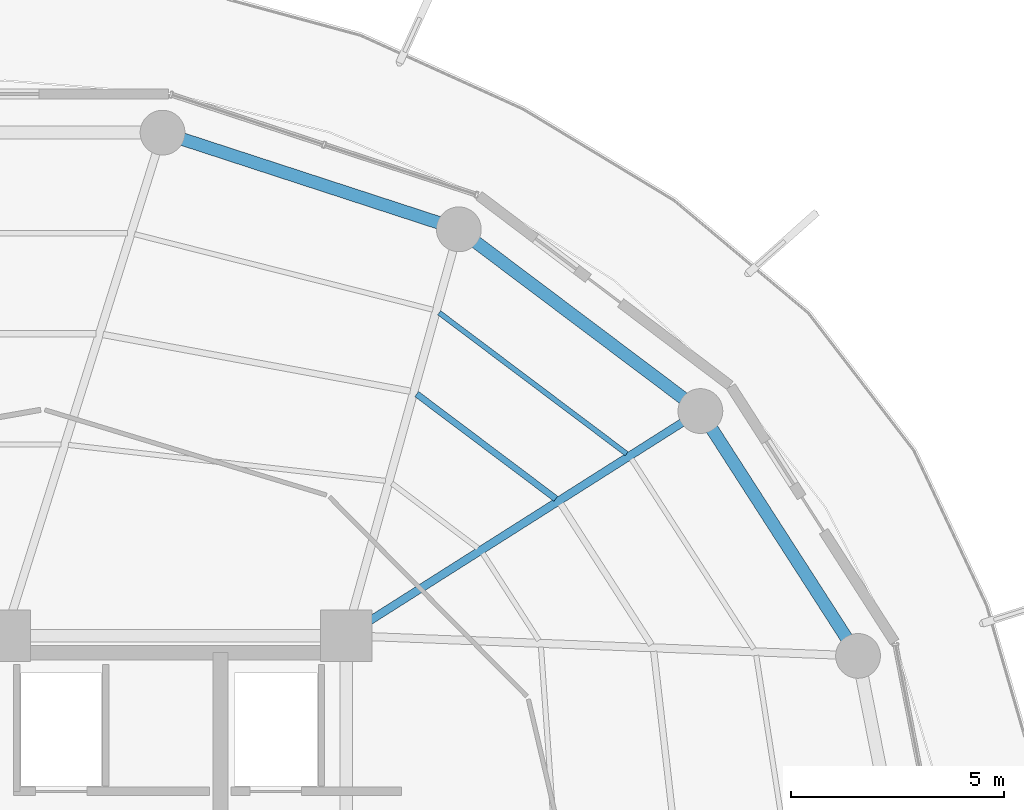
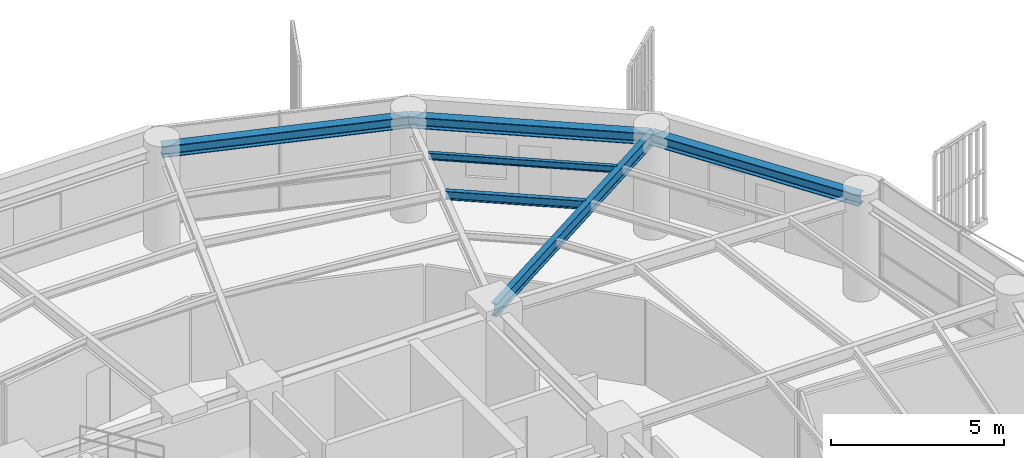
# One storey, part 22 of 31: 6 beams.
"""IFC4 building model written with IfcOpenShell, lengths in metres."""

from ifc_helpers import new_model, si_unit, direction, frame, origin, origin_2d, place, context, subcontext, project, spatial, i_section, extrude, material, material_profile, profile_set, type_object, element, save


model = new_model("IFC4")

# Units and contexts
model_context = context("Model", 3, precision=1e-05, world=origin(), true_north=direction((0.0, 1.0)))
body_context = subcontext(model_context, "Body", "Model", "MODEL_VIEW")
ifc_project = project(units=[si_unit("LENGTHUNIT", "METRE"), si_unit("AREAUNIT", "SQUARE_METRE"), si_unit("VOLUMEUNIT", "CUBIC_METRE"), si_unit("PLANEANGLEUNIT", "RADIAN"), si_unit("MASSUNIT", "GRAM", prefix="KILO")], contexts=[model_context])

# Site, building, storey
site_placement = place(None, origin())
site = spatial("IfcSite", under=ifc_project, at=site_placement, CompositionType="ELEMENT")
building_placement = place(site_placement, origin())
building = spatial("IfcBuilding", under=site, at=building_placement, Name="Kelanora Arch Commons", CompositionType="ELEMENT")
storey_placement = place(building_placement, frame((0.0, 0.0, 193.199951171875)))
storey = spatial("IfcBuildingStorey", under=building, at=storey_placement, Name="L49", CompositionType="ELEMENT", Elevation=193.199951171875)

# Beams
ifc_material = material(Name="Steel S355", Category="steel")
ifc_material_profile_1 = material_profile(ifc_material, i_section(OverallWidth=0.14990234375, OverallDepth=0.300048828125, WebThickness=0.007080078125, FlangeThickness=0.0107421875, FilletRadius=0.014892578125, at=origin_2d()), Name="IPE300")
ifc_profile_set_1 = profile_set([ifc_material_profile_1], Name="Steel S355")
beam_type_1 = type_object("IfcBeamType", Name="BM-JST-01", PredefinedType="JOIST", material=ifc_profile_set_1)
beam_1_placement = place(storey_placement, frame((86.912841796875, 68.209716796875, 3.340087890625), z_axis=(-0.799101708656, 0.601195857624, 0.0), x_axis=(-0.601195857624, -0.799101708656, 0.0)))
element("IfcBeam", 1, at=beam_1_placement, inside=storey, type_object=beam_type_1, Name="Secondary Chord Joist BJB-04 L49", PredefinedType="JOIST", context=body_context, shape_type="SweptSolid", body=[
    extrude(i_section(OverallWidth=0.14990234375, OverallDepth=0.300048828125, WebThickness=0.007080078125, FlangeThickness=0.0107421875, FilletRadius=0.014892578125, at=origin_2d()), origin(), (0.0, 0.0, 1.0), 4.080810546875),
])
ifc_material_profile_2 = material_profile(ifc_material, i_section(OverallWidth=0.1201171875, OverallDepth=0.239990234375, WebThickness=0.006103515625, FlangeThickness=0.009765625, FilletRadius=0.014892578125, at=origin_2d()), Name="IPE240")
ifc_profile_set_2 = profile_set([ifc_material_profile_2], Name="Steel S355")
beam_type_2 = type_object("IfcBeamType", Name="BM-JST-02", PredefinedType="JOIST", material=ifc_profile_set_2)
beam_2_placement = place(storey_placement, frame((88.5732421875, 69.2626953125, 3.3701171875), z_axis=(-0.799109197935, 0.601185902842, 0.0), x_axis=(-0.601185902842, -0.799109197935, 0.0)))
element("IfcBeam", 2, at=beam_2_placement, inside=storey, type_object=beam_type_2, Name="Secondary Chord Joist BJC-04 L49", PredefinedType="JOIST", context=body_context, shape_type="SweptSolid", body=[
    extrude(i_section(OverallWidth=0.1201171875, OverallDepth=0.239990234375, WebThickness=0.006103515625, FlangeThickness=0.009765625, FilletRadius=0.014892578125, at=origin_2d()), origin(), (0.0, 0.0, 1.0), 5.497802734375),
])
ifc_material_profile_3 = material_profile(ifc_material, i_section(OverallWidth=0.18994140625, OverallDepth=0.449951171875, WebThickness=0.009521484375, FlangeThickness=0.0146484375, FilletRadius=0.02099609375, at=origin_2d()), Name="IPE450")
ifc_profile_set_3 = profile_set([ifc_material_profile_3], Name="Steel S355")
beam_type_3 = type_object("IfcBeamType", Name="BM-RAD-Z4", PredefinedType="BEAM", material=ifc_profile_set_3)
beam_3_placement = place(storey_placement, frame((82.0, 65.0, 3.26513671875), z_axis=(0.844507208607, 0.535544185489, 0.0), x_axis=(-0.535544185489, 0.844507208607, 0.0)))
element("IfcBeam", 3, at=beam_3_placement, inside=storey, type_object=beam_type_3, Name="Radial Floor Girder BR-04 L49", PredefinedType="BEAM", context=body_context, shape_type="SweptSolid", body=[
    extrude(i_section(OverallWidth=0.18994140625, OverallDepth=0.449951171875, WebThickness=0.009521484375, FlangeThickness=0.0146484375, FilletRadius=0.02099609375, at=origin_2d()), origin(), (0.0, 0.0, 1.0), 9.830078125),
])
ifc_material_profile_4 = material_profile(ifc_material, i_section(OverallWidth=0.300048828125, OverallDepth=0.39990234375, WebThickness=0.013427734375, FlangeThickness=0.02392578125, FilletRadius=0.027099609375, at=origin_2d()), Name="HEB400")
ifc_profile_set_4 = profile_set([ifc_material_profile_4], Name="Steel S355")
beam_type_4 = type_object("IfcBeamType", Name="BM-SPN-Z4", PredefinedType="SPANDREL", material=ifc_profile_set_4)
beam_4_placement = place(storey_placement, frame((93.99658203125, 64.525634765625, 3.2900390625), z_axis=(-0.541364878868, 0.840787766281, 0.0), x_axis=(-0.840787766281, -0.541364878868, 0.0)))
element("IfcBeam", 4, at=beam_4_placement, inside=storey, type_object=beam_type_4, Name="Perimeter Spandrel Beam BS-02 L49", PredefinedType="SPANDREL", context=body_context, shape_type="SweptSolid", body=[
    extrude(i_section(OverallWidth=0.300048828125, OverallDepth=0.39990234375, WebThickness=0.013427734375, FlangeThickness=0.02392578125, FilletRadius=0.027099609375, at=origin_2d()), origin(), (0.0, 0.0, 1.0), 6.825439453125),
])
beam_5_placement = place(storey_placement, frame((90.301513671875, 70.264404296875, 3.2900390625), z_axis=(-0.799114211715, 0.60117923836, 0.0), x_axis=(-0.60117923836, -0.799114211715, 0.0)))
element("IfcBeam", 5, at=beam_5_placement, inside=storey, type_object=beam_type_4, Name="Perimeter Spandrel Beam BS-04 L49", PredefinedType="SPANDREL", context=body_context, shape_type="SweptSolid", body=[
    extrude(i_section(OverallWidth=0.300048828125, OverallDepth=0.39990234375, WebThickness=0.013427734375, FlangeThickness=0.02392578125, FilletRadius=0.027099609375, at=origin_2d()), origin(), (0.0, 0.0, 1.0), 7.0849609375),
])
beam_6_placement = place(storey_placement, frame((84.639892578125, 74.523681640625, 3.2900390625), z_axis=(-0.950656361143, 0.310245842872, 0.0), x_axis=(-0.310245842872, -0.950656361143, 0.0)))
element("IfcBeam", 6, at=beam_6_placement, inside=storey, type_object=beam_type_4, Name="Perimeter Spandrel Beam BS-06 L49", PredefinedType="SPANDREL", context=body_context, shape_type="SweptSolid", body=[
    extrude(i_section(OverallWidth=0.300048828125, OverallDepth=0.39990234375, WebThickness=0.013427734375, FlangeThickness=0.02392578125, FilletRadius=0.027099609375, at=origin_2d()), origin(), (0.0, 0.0, 1.0), 7.304931640625),
])

save(model, "model.ifc")
